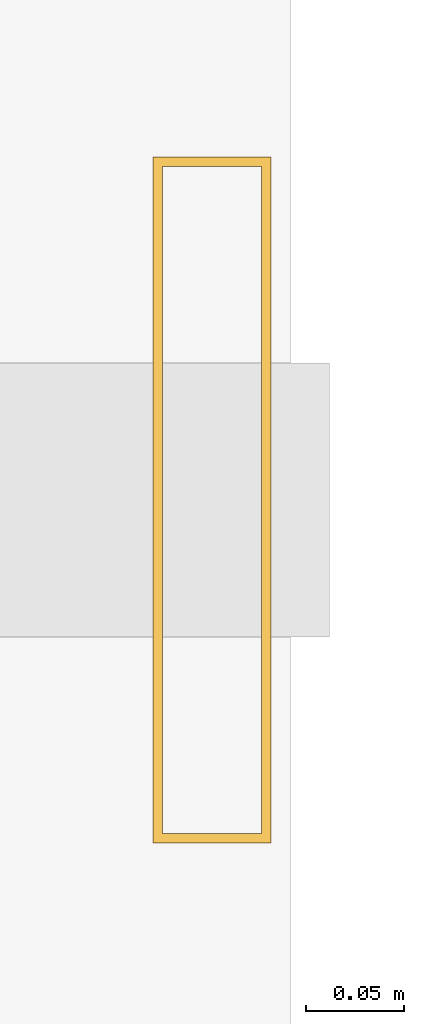
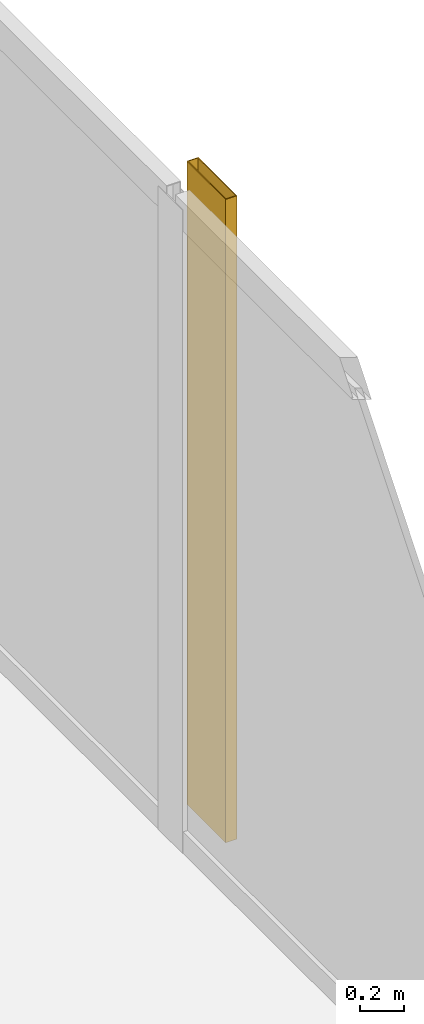
# One storey, part 28 of 28: 1 shading device.
"""IFC4 building model written with IfcOpenShell, lengths in metres."""

from ifc_helpers import new_model, si_unit, direction, frame, origin, origin_2d, place, context, subcontext, project, spatial, hollow_rectangle, extrude, material, material_profile, profile_set, type_object, element, save


model = new_model("IFC4")

# Units and contexts
model_context = context("Model", 3, precision=1e-05, world=origin(), true_north=direction((0.0, 1.0)))
body_context = subcontext(model_context, "Body", "Model", "MODEL_VIEW")
ifc_project = project(units=[si_unit("LENGTHUNIT", "METRE"), si_unit("AREAUNIT", "SQUARE_METRE"), si_unit("VOLUMEUNIT", "CUBIC_METRE"), si_unit("PLANEANGLEUNIT", "RADIAN"), si_unit("MASSUNIT", "GRAM", prefix="KILO")], contexts=[model_context])

# Site, building, storey
site_placement = place(None, origin())
site = spatial("IfcSite", under=ifc_project, at=site_placement, CompositionType="ELEMENT")
building_placement = place(site_placement, origin())
building = spatial("IfcBuilding", under=site, at=building_placement, Name="Kolvaren Waterfront Exchange", CompositionType="ELEMENT")
storey_placement = place(building_placement, frame((0.0, 0.0, 56.199951171875)))
storey = spatial("IfcBuildingStorey", under=building, at=storey_placement, Name="L14", CompositionType="ELEMENT", Elevation=56.199951171875)

# Shading device
ifc_material = material(Name="Anodised bronze aluminium 6063-T6", Category="aluminium")
ifc_material_profile = material_profile(ifc_material, hollow_rectangle(XDim=0.06005859375, YDim=0.35009765625, WallThickness=0.0048828125, at=origin_2d()), Name="BRZ-FIN-350x60x5")
ifc_profile_set = profile_set([ifc_material_profile], Name="Anodised bronze aluminium 6063-T6")
shading_device_type = type_object("IfcShadingDeviceType", Name="ARC-FIN-350", PredefinedType="USERDEFINED", material=ifc_profile_set)
shading_device_placement = place(storey_placement, frame((25.56005859375, 36.0, 0.0), z_axis=(0.0, 0.0, 1.0), x_axis=(1.0, 0.0, 0.0)))
element("IfcShadingDevice", 1, at=shading_device_placement, inside=storey, type_object=shading_device_type, Name="L14 anodised bronze solar shading fin FIN-L14-E3", ObjectType="SOLAR FIN", PredefinedType="USERDEFINED", context=body_context, shape_type="SweptSolid", body=[
    extrude(hollow_rectangle(XDim=0.06005859375, YDim=0.35009765625, WallThickness=0.0048828125, at=origin_2d()), origin(), (0.0, 0.0, 1.0), 3.5400390625),
])

save(model, "model.ifc")
